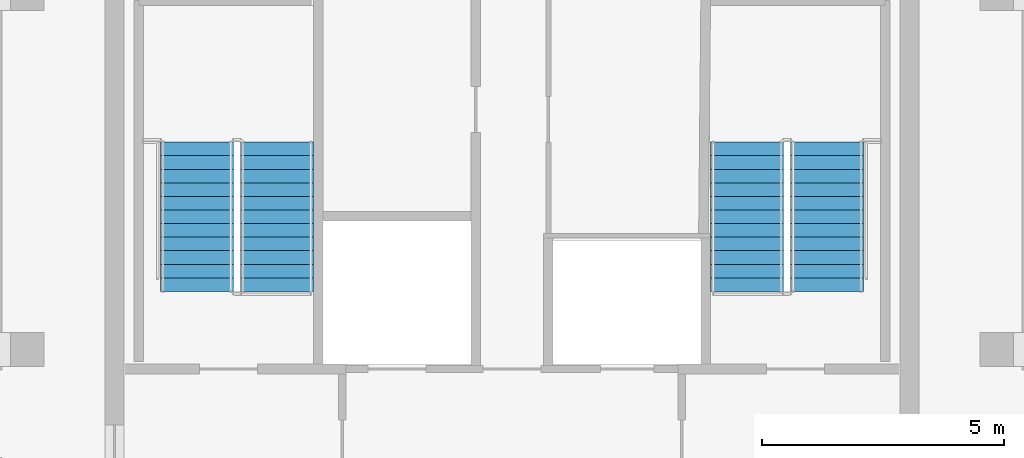
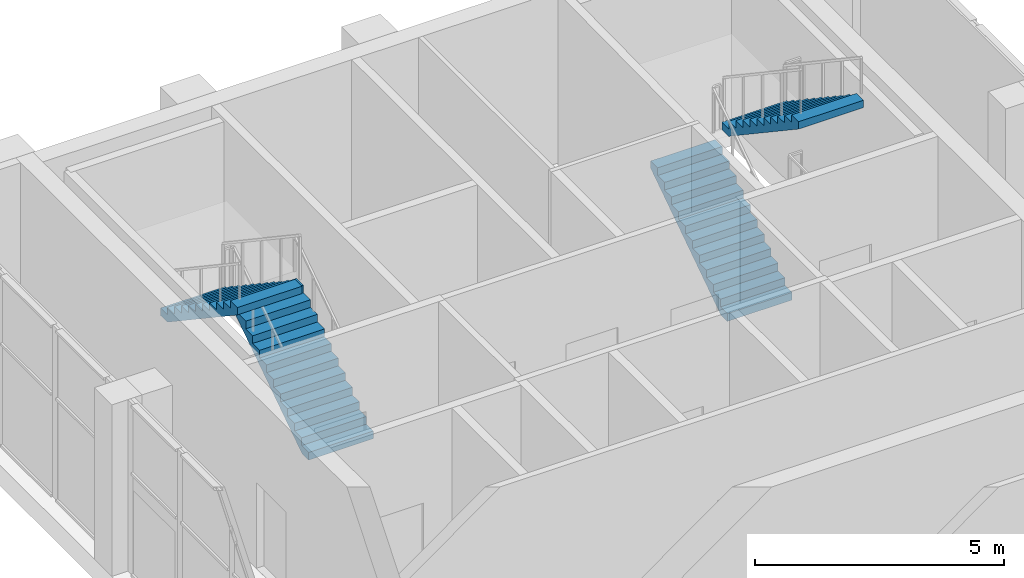
# One storey, part 9 of 12: 4 stair flights, 2 elements without a shape of their own.
"""IFC4 building model written with IfcOpenShell, lengths in metres."""

from ifc_helpers import new_model, si_unit, direction, frame, origin, place, context, subcontext, project, spatial, polyline, outline, extrude, material, type_object, element, aggregate, save


model = new_model("IFC4")

# Units and contexts
model_context = context("Model", 3, precision=1e-05, world=origin(), true_north=direction((0.0, 1.0)))
body_context = subcontext(model_context, "Body", "Model", "MODEL_VIEW")
ifc_project = project(units=[si_unit("LENGTHUNIT", "METRE"), si_unit("AREAUNIT", "SQUARE_METRE"), si_unit("VOLUMEUNIT", "CUBIC_METRE"), si_unit("PLANEANGLEUNIT", "RADIAN"), si_unit("MASSUNIT", "GRAM", prefix="KILO")], contexts=[model_context])

# Site, building, storey
site_placement = place(None, origin())
site = spatial("IfcSite", under=ifc_project, at=site_placement, CompositionType="ELEMENT")
building_placement = place(site_placement, origin())
building = spatial("IfcBuilding", under=site, at=building_placement, Name="Vermilion Ogive Tower", CompositionType="ELEMENT")
storey_placement = place(building_placement, frame((0.0, 0.0, 298.35009765625)))
storey = spatial("IfcBuildingStorey", under=building, at=storey_placement, Name="L77", CompositionType="ELEMENT", Elevation=298.35009765625)

# Stair, stair flights
ifc_material_1 = material(Name="Concrete B40", Category="concrete")
stair_type = type_object("IfcStairType", Name="Exit stair 1500", PredefinedType="HALF_TURN_STAIR", material=ifc_material_1)
stair_1_placement = place(storey_placement, origin())
stair_1 = element("IfcStair", 1, at=stair_1_placement, inside=storey, type_object=stair_type, Name="L77 Exit Stair ST1", PredefinedType="HALF_TURN_STAIR")
ifc_material_2 = material(Name="Concrete B40", Category="concrete")
stair_flight_type = type_object("IfcStairFlightType", Name="Stair flight 1500", PredefinedType="STRAIGHT", material=ifc_material_2)
stair_flight_1_placement = place(storey_placement, frame((-4.85009765625, 14.85009765625, 0.0), z_axis=(0.0, 0.0, 1.0), x_axis=(0.0, 1.0, 0.0)))
stair_flight_1 = element("IfcStairFlight", 2, at=stair_flight_1_placement, type_object=stair_flight_type, Name="ST1 flight 1", NumberOfRisers=12, NumberOfTreads=11, PredefinedType="STRAIGHT", RiserHeight=0.1875, TreadLength=0.28, context=body_context, shape_type="SweptSolid", body=[
    extrude(outline(polyline([(0.0, 0.0), (0.0, 0.1875), (0.280029296875, 0.1875), (0.280029296875, 0.375), (0.56005859375, 0.375), (0.56005859375, 0.5625), (0.840087890625, 0.5625), (0.840087890625, 0.75), (1.1201171875, 0.75), (1.1201171875, 0.9375), (1.39990234375, 0.9375), (1.39990234375, 1.125), (1.679931640625, 1.125), (1.679931640625, 1.3125), (1.9599609375, 1.3125), (1.9599609375, 1.5), (2.239990234375, 1.5), (2.239990234375, 1.6875), (2.52001953125, 1.6875), (2.52001953125, 1.875), (2.800048828125, 1.875), (2.800048828125, 2.0625), (3.080078125, 2.0625), (3.080078125, 2.25), (3.080078125, 1.882080078125), (0.26953125, 0.0), (0.0, 0.0)])), frame((0.0, 0.75, 0.0), z_axis=(0.0, -1.0, 0.0), x_axis=(1.0, 0.0, 0.0)), (0.0, 0.0, 1.0), 1.5),
])
stair_flight_2_placement = place(storey_placement, frame((-6.5, 17.929931640625, 2.25), z_axis=(0.0, 0.0, 1.0), x_axis=(0.0, -1.0, 0.0)))
stair_flight_2 = element("IfcStairFlight", 3, at=stair_flight_2_placement, type_object=stair_flight_type, Name="ST1 flight 2", NumberOfRisers=12, NumberOfTreads=11, PredefinedType="STRAIGHT", RiserHeight=0.1875, TreadLength=0.28, context=body_context, shape_type="SweptSolid", body=[
    extrude(outline(polyline([(0.0, 0.0), (0.0, 0.1875), (0.280029296875, 0.1875), (0.280029296875, 0.375), (0.56005859375, 0.375), (0.56005859375, 0.5625), (0.840087890625, 0.5625), (0.840087890625, 0.75), (1.1201171875, 0.75), (1.1201171875, 0.9375), (1.39990234375, 0.9375), (1.39990234375, 1.125), (1.679931640625, 1.125), (1.679931640625, 1.3125), (1.9599609375, 1.3125), (1.9599609375, 1.5), (2.239990234375, 1.5), (2.239990234375, 1.6875), (2.52001953125, 1.6875), (2.52001953125, 1.875), (2.800048828125, 1.875), (2.800048828125, 2.0625), (3.080078125, 2.0625), (3.080078125, 2.25), (3.080078125, 1.882080078125), (0.26953125, 0.0), (0.0, 0.0)])), frame((0.0, 0.75, 0.0), z_axis=(0.0, -1.0, 0.0), x_axis=(1.0, 0.0, 0.0)), (0.0, 0.0, 1.0), 1.5),
])
aggregate(stair_1, [stair_flight_1, stair_flight_2])

stair_2_placement = place(storey_placement, origin())
stair_2 = element("IfcStair", 4, at=stair_2_placement, inside=storey, type_object=stair_type, Name="L77 Exit Stair ST2", PredefinedType="HALF_TURN_STAIR")
stair_flight_3_placement = place(storey_placement, frame((4.85009765625, 14.85009765625, 0.0), z_axis=(0.0, 0.0, 1.0), x_axis=(0.0, 1.0, 0.0)))
stair_flight_3 = element("IfcStairFlight", 5, at=stair_flight_3_placement, type_object=stair_flight_type, Name="ST2 flight 1", NumberOfRisers=12, NumberOfTreads=11, PredefinedType="STRAIGHT", RiserHeight=0.1875, TreadLength=0.28, context=body_context, shape_type="SweptSolid", body=[
    extrude(outline(polyline([(0.0, 0.0), (0.0, 0.1875), (0.280029296875, 0.1875), (0.280029296875, 0.375), (0.56005859375, 0.375), (0.56005859375, 0.5625), (0.840087890625, 0.5625), (0.840087890625, 0.75), (1.1201171875, 0.75), (1.1201171875, 0.9375), (1.39990234375, 0.9375), (1.39990234375, 1.125), (1.679931640625, 1.125), (1.679931640625, 1.3125), (1.9599609375, 1.3125), (1.9599609375, 1.5), (2.239990234375, 1.5), (2.239990234375, 1.6875), (2.52001953125, 1.6875), (2.52001953125, 1.875), (2.800048828125, 1.875), (2.800048828125, 2.0625), (3.080078125, 2.0625), (3.080078125, 2.25), (3.080078125, 1.882080078125), (0.26953125, 0.0), (0.0, 0.0)])), frame((0.0, 0.75, 0.0), z_axis=(0.0, -1.0, 0.0), x_axis=(1.0, 0.0, 0.0)), (0.0, 0.0, 1.0), 1.5),
])
stair_flight_4_placement = place(storey_placement, frame((6.5, 17.929931640625, 2.25), z_axis=(0.0, 0.0, 1.0), x_axis=(0.0, -1.0, 0.0)))
stair_flight_4 = element("IfcStairFlight", 6, at=stair_flight_4_placement, type_object=stair_flight_type, Name="ST2 flight 2", NumberOfRisers=12, NumberOfTreads=11, PredefinedType="STRAIGHT", RiserHeight=0.1875, TreadLength=0.28, context=body_context, shape_type="SweptSolid", body=[
    extrude(outline(polyline([(0.0, 0.0), (0.0, 0.1875), (0.280029296875, 0.1875), (0.280029296875, 0.375), (0.56005859375, 0.375), (0.56005859375, 0.5625), (0.840087890625, 0.5625), (0.840087890625, 0.75), (1.1201171875, 0.75), (1.1201171875, 0.9375), (1.39990234375, 0.9375), (1.39990234375, 1.125), (1.679931640625, 1.125), (1.679931640625, 1.3125), (1.9599609375, 1.3125), (1.9599609375, 1.5), (2.239990234375, 1.5), (2.239990234375, 1.6875), (2.52001953125, 1.6875), (2.52001953125, 1.875), (2.800048828125, 1.875), (2.800048828125, 2.0625), (3.080078125, 2.0625), (3.080078125, 2.25), (3.080078125, 1.882080078125), (0.26953125, 0.0), (0.0, 0.0)])), frame((0.0, 0.75, 0.0), z_axis=(0.0, -1.0, 0.0), x_axis=(1.0, 0.0, 0.0)), (0.0, 0.0, 1.0), 1.5),
])
aggregate(stair_2, [stair_flight_3, stair_flight_4])

save(model, "model.ifc")
